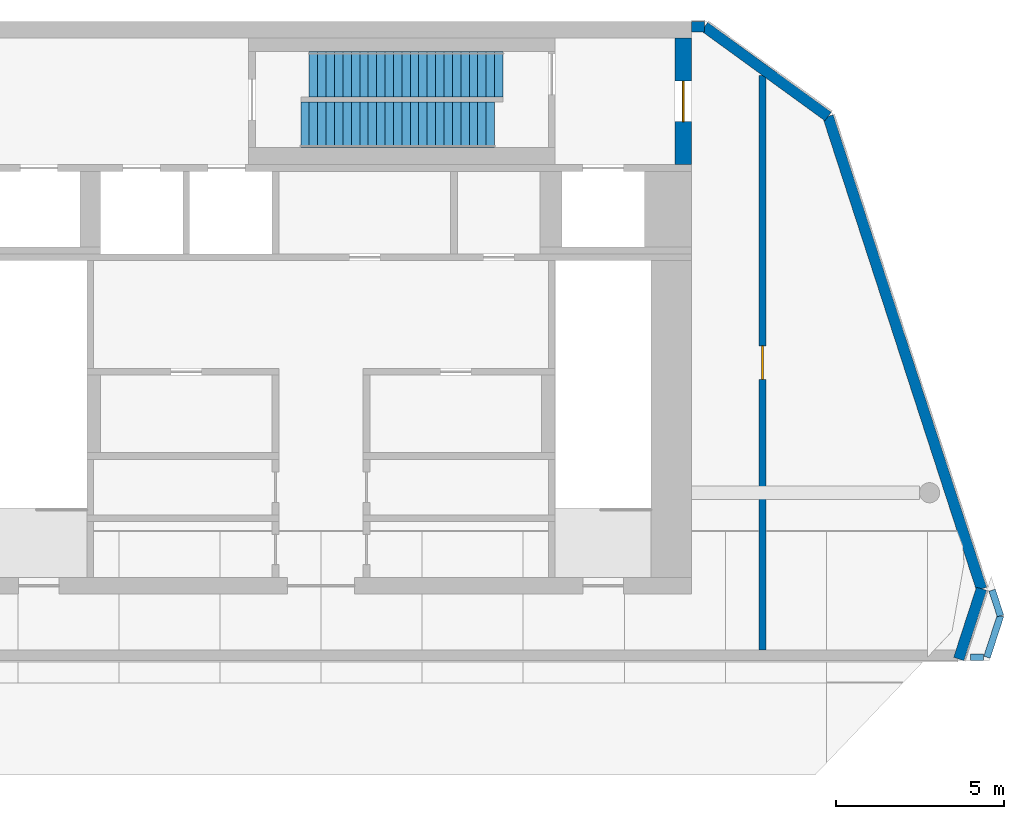
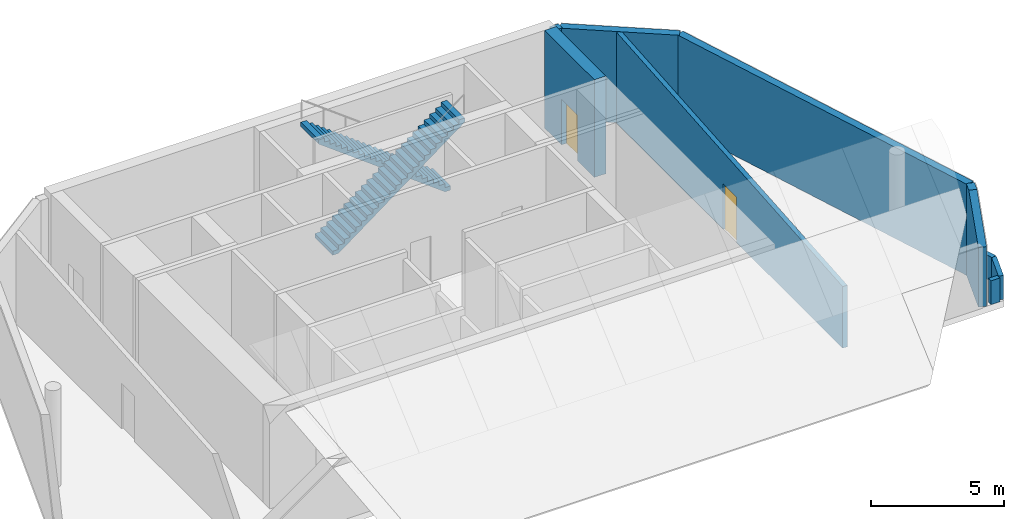
# One storey, part 3 of 5: 9 walls, 2 doors, 2 stair flights, 2 openings, 2 elements without a shape of their own.
"""IFC4 building model written with IfcOpenShell, lengths in metres."""

import ifcopenshell
import ifcopenshell.guid

model = None  # the IFC model being written
_history = None  # IfcOwnerHistory: only IFC2X3 demands one
_inside = {}  # id of a spatial element -> (the spatial element, [elements in it])
_under = {}  # id of a project, library or spatial element -> (it, [spatial elements below it])
_declared = {}  # id of a project -> (the project, [libraries it declares])
_typed = {}  # id of a type object -> (the type object, [elements of that type])
_made_of = {}  # id of a material, layer set ... -> (it, [elements and type objects made of it])


def new_model(schema):
    """Start an empty IFC model of exactly this schema.

    Asked for "IFC4X3", IfcOpenShell would pick the latest addendum, in which some entities
    have other attributes; the version numbers below select the first issue.
    IFC2X3 requires an IfcOwnerHistory on every rooted entity: one is made here for all.
    """
    global model, _history
    if schema == "IFC4X3":
        model = ifcopenshell.file(schema_version=(4, 3, 0, 0))
    else:
        model = ifcopenshell.file(schema=schema)
    _inside.clear()
    _under.clear()
    _declared.clear()
    _typed.clear()
    _made_of.clear()
    _history = None
    if model.schema == "IFC2X3":
        org = make("IfcOrganization", Name="unknown")
        user = make(
            "IfcPersonAndOrganization",
            ThePerson=make("IfcPerson", FamilyName="unknown"),
            TheOrganization=org,
        )
        app = make(
            "IfcApplication",
            ApplicationDeveloper=org,
            Version="unknown",
            ApplicationFullName="unknown",
            ApplicationIdentifier="unknown",
        )
        _history = make(
            "IfcOwnerHistory",
            OwningUser=user,
            OwningApplication=app,
            ChangeAction="ADDED",
            CreationDate=0,
        )
    return model


def make(cls, **values):
    """One entity of the class cls with the attributes given. An attribute that is None is left unset."""
    return model.create_entity(
        cls, **{name: value for name, value in values.items() if value is not None}
    )


def rooted(cls, **values):
    """An entity with a GlobalId (a new one), such as an element, a storey or a relation."""
    return make(cls, GlobalId=ifcopenshell.guid.new(), OwnerHistory=_history, **values)


def si_unit(unit_type, name, prefix=None):
    """IfcSIUnit, for example si_unit("LENGTHUNIT", "METRE", prefix="MILLI")."""
    return make("IfcSIUnit", UnitType=unit_type, Prefix=prefix, Name=name)


def assignment(units):
    """IfcUnitAssignment: the units of a project."""
    return None if units is None else make("IfcUnitAssignment", Units=units)


def point(xyz):
    """IfcCartesianPoint."""
    return None if xyz is None else make("IfcCartesianPoint", Coordinates=xyz)


def direction(xyz):
    """IfcDirection."""
    return None if xyz is None else make("IfcDirection", DirectionRatios=xyz)


def frame(location, z_axis=None, x_axis=None):
    """IfcAxis2Placement3D, a coordinate frame: its origin and axes. An axis left out is left unset."""
    return make(
        "IfcAxis2Placement3D",
        Location=point(location),
        Axis=direction(z_axis),
        RefDirection=direction(x_axis),
    )


def frame_2d(location, x_axis=None):
    """IfcAxis2Placement2D, a coordinate frame in the plane: its origin and x axis."""
    return make(
        "IfcAxis2Placement2D", Location=point(location), RefDirection=direction(x_axis)
    )


def origin():
    """The frame at (0, 0, 0) with its axes left unset."""
    return frame((0.0, 0.0, 0.0))


def place(relative_to, where):
    """IfcLocalPlacement: puts the frame where relative to a parent placement (None: the world)."""
    return make(
        "IfcLocalPlacement", PlacementRelTo=relative_to, RelativePlacement=where
    )


def context(
    kind, dimensions, precision=None, world=None, true_north=None, identifier=None
):
    """IfcGeometricRepresentationContext, for example the 3D "Model" context."""
    return make(
        "IfcGeometricRepresentationContext",
        ContextIdentifier=identifier,
        ContextType=kind,
        CoordinateSpaceDimension=dimensions,
        Precision=precision,
        WorldCoordinateSystem=world,
        TrueNorth=true_north,
    )


def subcontext(parent, identifier, kind, view, scale=None):
    """IfcGeometricRepresentationSubContext, for example "Body" below "Model"."""
    return make(
        "IfcGeometricRepresentationSubContext",
        ContextIdentifier=identifier,
        ContextType=kind,
        ParentContext=parent,
        TargetScale=scale,
        TargetView=view,
    )


def project(units=None, contexts=None):
    """IfcProject with its units and contexts."""
    return rooted(
        "IfcProject",
        Name="project",
        RepresentationContexts=contexts,
        UnitsInContext=assignment(units),
    )


def spatial(cls, under=None, at=None, **own):
    """A site, building, storey or space (cls), placed at a placement, below another one or the project."""
    s = rooted(cls, ObjectPlacement=at, **own)
    if under is not None:
        _under.setdefault(under.id(), (under, []))[1].append(s)
    return s


def polyline(points):
    """IfcPolyline through the points."""
    return make("IfcPolyline", Points=[point(p) for p in points])


def profile(cls, at=None, kind="AREA", **sizes):
    """A parametric profile (cls). Its sizes go by their IFC names, for example OverallWidth=200.0."""
    return make(cls, ProfileType=kind, Position=at, **sizes)


def rectangle(**sizes):
    """IfcRectangleProfileDef."""
    return profile("IfcRectangleProfileDef", **sizes)


def outline(outer, holes=None, kind="AREA"):
    """IfcArbitraryClosedProfileDef: a profile drawn as a closed curve; with holes, ...WithVoids."""
    if holes is None:
        return make("IfcArbitraryClosedProfileDef", ProfileType=kind, OuterCurve=outer)
    return make(
        "IfcArbitraryProfileDefWithVoids",
        ProfileType=kind,
        OuterCurve=outer,
        InnerCurves=holes,
    )


def extrude(swept, where, along, depth):
    """IfcExtrudedAreaSolid: the profile swept, set in the frame where, extruded along a direction by depth."""
    return make(
        "IfcExtrudedAreaSolid",
        SweptArea=swept,
        Position=where,
        ExtrudedDirection=direction(along),
        Depth=depth,
    )


def shape(context_of_items, identifier, shape_type, items):
    """IfcShapeRepresentation: the items that make up one representation, for example the "Body"."""
    return make(
        "IfcShapeRepresentation",
        ContextOfItems=context_of_items,
        RepresentationIdentifier=identifier,
        RepresentationType=shape_type,
        Items=items,
    )


def material(Name=None, Category=None):
    """IfcMaterial."""
    return make("IfcMaterial", Name=Name, Category=Category)


def layer(
    of_material, thickness, ventilated=None, Name=None, Category=None, Priority=None
):
    """IfcMaterialLayer: one layer of a wall or slab, of a material (None: an air gap)."""
    return make(
        "IfcMaterialLayer",
        Material=of_material,
        LayerThickness=thickness,
        IsVentilated=ventilated,
        Name=Name,
        Category=Category,
        Priority=Priority,
    )


def layer_set(layers, Name=None):
    """IfcMaterialLayerSet."""
    return make("IfcMaterialLayerSet", MaterialLayers=layers, LayerSetName=Name)


def made_of(thing, what):
    """Note that an element or type object is made of a material, layer set ...; save() writes the relation."""
    if what is not None:
        _made_of.setdefault(what.id(), (what, []))[1].append(thing)
    return thing


def type_object(cls, material=None, **own):
    """A type object (cls), such as IfcWallType, which elements share."""
    return made_of(rooted(cls, **own), material)


def element(
    cls,
    number,
    at=None,
    inside=None,
    cuts=None,
    type_object=None,
    material=None,
    context=None,
    identifier="Body",
    shape_type=None,
    held_by="IfcProductDefinitionShape",
    body=None,
    shapes=None,
    **own,
):
    """One element of the class cls, such as IfcWall. Its Tag is "e" and its number.

    at: its placement. inside: the storey or other place that contains it. cuts: it is an
    opening in that element (IfcRelVoidsElement). A single representation is given by context,
    identifier, shape_type and body (its items); several are given by shapes. held_by: the class
    of the entity that holds the representations. save() writes the other relations.
    """
    e = rooted(cls, Tag="e%d" % number, ObjectPlacement=at, **own)
    if body is not None:
        shapes = [shape(context, identifier, shape_type, body)]
    if shapes is not None:
        e.Representation = make(held_by, Representations=shapes)
    if inside is not None:
        _inside.setdefault(inside.id(), (inside, []))[1].append(e)
    if cuts is not None:
        rooted(
            "IfcRelVoidsElement", RelatingBuildingElement=cuts, RelatedOpeningElement=e
        )
    if type_object is not None:
        _typed.setdefault(type_object.id(), (type_object, []))[1].append(e)
    return made_of(e, material)


def fill(opening, filler):
    """IfcRelFillsElement: the door or window that sits in an opening."""
    return rooted(
        "IfcRelFillsElement",
        RelatingOpeningElement=opening,
        RelatedBuildingElement=filler,
    )


def aggregate(whole, parts):
    """IfcRelAggregates: a whole, such as a stair, and the parts it consists of."""
    return rooted("IfcRelAggregates", RelatingObject=whole, RelatedObjects=parts)


def save(model, path):
    """Write the relations noted so far, then the file.

    IfcRelAggregates (storeys below a building ...), IfcRelContainedInSpatialStructure (elements
    in a storey), IfcRelDefinesByType, IfcRelAssociatesMaterial and IfcRelDeclares: one each for
    every whole, place, type object, material and project.
    """
    for whole, parts in _under.values():
        aggregate(whole, parts)
    for where, things in _inside.values():
        rooted(
            "IfcRelContainedInSpatialStructure",
            RelatedElements=things,
            RelatingStructure=where,
        )
    for kind, things in _typed.values():
        rooted("IfcRelDefinesByType", RelatedObjects=things, RelatingType=kind)
    for what, things in _made_of.values():
        rooted("IfcRelAssociatesMaterial", RelatedObjects=things, RelatingMaterial=what)
    for by, libraries in _declared.values():
        rooted("IfcRelDeclares", RelatingContext=by, RelatedDefinitions=libraries)
    model.write(path)


model = new_model("IFC4")

# Units and contexts
model_context = context("Model", 3, precision=1e-05, world=origin(), true_north=direction((0.0, 1.0)))
body_context = subcontext(model_context, "Body", "Model", "MODEL_VIEW")
ifc_project = project(units=[si_unit("LENGTHUNIT", "METRE"), si_unit("AREAUNIT", "SQUARE_METRE"), si_unit("VOLUMEUNIT", "CUBIC_METRE"), si_unit("PLANEANGLEUNIT", "RADIAN"), si_unit("MASSUNIT", "GRAM", prefix="KILO")], contexts=[model_context])

# Site, building, storey
site_placement = place(None, origin())
site = spatial("IfcSite", under=ifc_project, at=site_placement, CompositionType="ELEMENT")
building_placement = place(site_placement, origin())
building = spatial("IfcBuilding", under=site, at=building_placement, Name="White Candle Pilgrim Tower", CompositionType="ELEMENT")
storey_placement = place(building_placement, frame((0.0, 0.0, 342.199951171875)))
storey = spatial("IfcBuildingStorey", under=building, at=storey_placement, Name="L80", CompositionType="ELEMENT", Elevation=342.199951171875)

# Wall, opening, door
ifc_material_1 = material(Name="Concrete C40/50", Category="concrete")
ifc_layer_1 = layer(ifc_material_1, 0.5)
ifc_layer_set_1 = layer_set([ifc_layer_1], Name="Core wall 500 mm Concrete C40/50")
wall_type_1 = type_object("IfcWallType", Name="Core wall 500 mm Concrete C40/50", PredefinedType="SHEAR", material=ifc_layer_set_1)
wall_1_placement = place(storey_placement, frame((80.75, 83.75, 0.0), z_axis=(0.0, 0.0, 1.0), x_axis=(0.0, 1.0, 0.0)))
wall_1 = element("IfcWall", 1, at=wall_1_placement, inside=storey, type_object=wall_type_1, Name="WL-L80-C37", PredefinedType="SHEAR", context=body_context, shape_type="SweptSolid", body=[
    extrude(rectangle(XDim=3.75, YDim=0.5, at=frame_2d((1.875, 0.0))), origin(), (0.0, 0.0, 1.0), 4.5),
])
opening_1_placement = place(wall_1_placement, frame((1.27490234375, 0.0, 0.0)))
opening_1 = element("IfcOpeningElement", 2, at=opening_1_placement, cuts=wall_1, Name="Opening L80-011", PredefinedType="OPENING", context=body_context, shape_type="SweptSolid", body=[
    extrude(rectangle(XDim=1.199951171875, YDim=2.10009765625, at=frame_2d((0.60009765625, 1.050048828125))), frame((0.0, 0.260009765625, 0.0), z_axis=(0.0, -1.0, 0.0), x_axis=(1.0, 0.0, 0.0)), (0.0, 0.0, 1.0), 0.52001953125),
])
ifc_material_2 = material(Name="Steel door leaf", Category="steel")
door_type_1 = type_object("IfcDoorType", Name="Fire door 1200 x 2100 EI 30", OperationType="NOTDEFINED", PredefinedType="DOOR", material=ifc_material_2)
door_1_placement = place(opening_1_placement, origin())
door_1 = element("IfcDoor", 3, at=door_1_placement, inside=storey, type_object=door_type_1, Name="Door L80-011", OperationType="SINGLE_SWING_LEFT", OverallHeight=2.10009765625, OverallWidth=1.199951171875, PredefinedType="DOOR", context=body_context, shape_type="SweptSolid", body=[
    extrude(rectangle(XDim=1.199951171875, YDim=2.10009765625, at=frame_2d((0.60009765625, 1.050048828125))), frame((0.0, 0.02490234375, 0.0), z_axis=(0.0, -1.0, 0.0), x_axis=(1.0, 0.0, 0.0)), (0.0, 0.0, 1.0), 0.050048828125),
])
fill(opening_1, door_1)

ifc_material_3 = material(Name="Gypsum board on steel studs", Category="steel")
ifc_layer_2 = layer(ifc_material_3, 0.199951171875)
ifc_layer_set_2 = layer_set([ifc_layer_2], Name="Corridor wall 200 mm EI 45")
wall_type_2 = type_object("IfcWallType", Name="Corridor wall 200 mm EI 45", PredefinedType="PARTITIONING", material=ifc_layer_set_2)
wall_2_placement = place(storey_placement, frame((83.10009765625, 86.396240234375, 0.0), z_axis=(0.0, 0.0, 1.0), x_axis=(0.0, -1.0, 0.0)))
wall_2 = element("IfcWall", 4, at=wall_2_placement, inside=storey, type_object=wall_type_2, Name="WL-L80-P001", PredefinedType="PARTITIONING", context=body_context, shape_type="SweptSolid", body=[
    extrude(outline(polyline([(0.0, 0.0), (17.050048828125, 0.0), (17.0498046875, 2.833251953125), (0.0, 4.199951171875), (0.0, 0.0)])), frame((0.0, 0.10009765625, 0.0), z_axis=(0.0, -1.0, 0.0), x_axis=(1.0, 0.0, 0.0)), (0.0, 0.0, 1.0), 0.199951171875),
])
opening_2_placement = place(wall_2_placement, frame((8.02490234375, 0.0, 0.0)))
opening_2 = element("IfcOpeningElement", 5, at=opening_2_placement, cuts=wall_2, Name="Opening L80-102", PredefinedType="OPENING", context=body_context, shape_type="SweptSolid", body=[
    extrude(rectangle(XDim=1.0, YDim=2.10009765625, at=frame_2d((0.5, 1.050048828125))), frame((0.0, 0.10986328125, 0.0), z_axis=(0.0, -1.0, 0.0), x_axis=(1.0, 0.0, 0.0)), (0.0, 0.0, 1.0), 0.219970703125),
])
door_type_2 = type_object("IfcDoorType", Name="Fire door 1000 x 2100 EI 30", OperationType="NOTDEFINED", PredefinedType="DOOR", material=ifc_material_2)
door_2_placement = place(opening_2_placement, origin())
door_2 = element("IfcDoor", 6, at=door_2_placement, inside=storey, type_object=door_type_2, Name="Door L80-102", OperationType="SINGLE_SWING_RIGHT", OverallHeight=2.10009765625, OverallWidth=1.0, PredefinedType="DOOR", context=body_context, shape_type="SweptSolid", body=[
    extrude(rectangle(XDim=1.0, YDim=2.10009765625, at=frame_2d((0.5, 1.050048828125))), frame((0.0, 0.02490234375, 0.0), z_axis=(0.0, -1.0, 0.0), x_axis=(1.0, 0.0, 0.0)), (0.0, 0.0, 1.0), 0.050048828125),
])
fill(opening_2, door_2)

# Walls
ifc_material_4 = material(Name="Precast concrete C40/50", Category="concrete")
ifc_layer_3 = layer(ifc_material_4, 0.320068359375)
ifc_layer_set_3 = layer_set([ifc_layer_3], Name="Facade wall EW4 precast concrete C40/50 crown wall with zinc cladding")
wall_type_3 = type_object("IfcWallType", Name="Facade wall EW4 precast concrete C40/50 crown wall with zinc cladding", PredefinedType="SOLIDWALL", material=ifc_layer_set_3)
wall_3_placement = place(storey_placement, frame((88.9287109375, 69.07568359375, 0.0), z_axis=(0.0, 0.0, 1.0), x_axis=(0.308990223282, 0.951065214334, 0.0)))
element("IfcWall", 7, at=wall_3_placement, inside=storey, type_object=wall_type_3, Name="Crown wall L80 E chamfer", PredefinedType="SOLIDWALL", context=body_context, shape_type="SweptSolid", body=[
    extrude(outline(polyline([(0.0, 0.0), (2.188720703125, 0.0), (2.188720703125, 4.199951171875), (1.729248046875, 4.199951171875), (0.0, 2.743896484375), (0.0, 0.0)])), frame((0.0, 0.16015625, 0.0), z_axis=(0.0, -1.0, 0.0), x_axis=(1.0, 0.0, 0.0)), (0.0, 0.0, 1.0), 0.320068359375),
])
wall_4_placement = place(storey_placement, frame((89.60498046875, 71.1572265625, 0.0), z_axis=(0.0, 0.0, 1.0), x_axis=(-0.309009679663, 0.951058892958, 0.0)))
element("IfcWall", 8, at=wall_4_placement, inside=storey, type_object=wall_type_3, Name="Crown wall L80 ENE", PredefinedType="SOLIDWALL", context=body_context, shape_type="SweptSolid", body=[
    extrude(rectangle(XDim=14.741943359375, YDim=0.320068359375, at=frame_2d((7.37109375, 0.0))), origin(), (0.0, 0.0, 1.0), 4.199951171875),
])
wall_5_placement = place(storey_placement, frame((85.049560546875, 85.177734375, 0.0), z_axis=(0.0, 0.0, 1.0), x_axis=(-0.809027332235, 0.587771023186, 0.0)))
element("IfcWall", 9, at=wall_5_placement, inside=storey, type_object=wall_type_3, Name="Crown wall L80 NE chamfer", PredefinedType="SOLIDWALL", context=body_context, shape_type="SweptSolid", body=[
    extrude(rectangle(XDim=4.529541015625, YDim=0.320068359375, at=frame_2d((2.2646484375, 0.0))), origin(), (0.0, 0.0, 1.0), 4.199951171875),
])
wall_6_placement = place(storey_placement, frame((81.385009765625, 87.840087890625, 0.0), z_axis=(0.0, 0.0, 1.0), x_axis=(-1.0, 0.0, 0.0)))
element("IfcWall", 10, at=wall_6_placement, inside=storey, type_object=wall_type_3, Name="Crown wall L80 N", PredefinedType="SOLIDWALL", context=body_context, shape_type="SweptSolid", body=[
    extrude(rectangle(XDim=0.385009765625, YDim=0.320068359375, at=frame_2d((0.1923828125, 0.0))), origin(), (0.0, 0.0, 1.0), 4.199951171875),
])
ifc_layer_4 = layer(ifc_material_4, 0.199951171875)
ifc_layer_set_4 = layer_set([ifc_layer_4], Name="Roof parapet EW5 precast concrete C40/50 200")
wall_type_4 = type_object("IfcWallType", Name="Roof parapet EW5 precast concrete C40/50 200", PredefinedType="SOLIDWALL", material=ifc_layer_set_4)
wall_7_placement = place(storey_placement, frame((90.164794921875, 70.356201171875, 0.0), z_axis=(0.0, 0.0, 1.0), x_axis=(-0.309026312225, -0.951053488692, 0.0)))
element("IfcWall", 11, at=wall_7_placement, inside=storey, type_object=wall_type_4, Name="Roof parapet L80", PredefinedType="SOLIDWALL", context=body_context, shape_type="SweptSolid", body=[
    extrude(rectangle(XDim=1.293212890625, YDim=0.199951171875, at=frame_2d((0.646484375, 0.0))), origin(), (0.0, 0.0, 1.0), 1.10009765625),
])
wall_8_placement = place(storey_placement, frame((89.66015625, 69.126220703125, 0.0), z_axis=(0.0, 0.0, 1.0), x_axis=(-1.0, 0.0, 0.0)))
element("IfcWall", 12, at=wall_8_placement, inside=storey, type_object=wall_type_4, Name="Roof parapet L80", PredefinedType="SOLIDWALL", context=body_context, shape_type="SweptSolid", body=[
    extrude(rectangle(XDim=0.38916015625, YDim=0.199951171875, at=frame_2d((0.194580078125, 0.0))), origin(), (0.0, 0.0, 1.0), 1.10009765625),
])
wall_9_placement = place(storey_placement, frame((89.91748046875, 71.117431640625, 0.0), z_axis=(0.0, 0.0, 1.0), x_axis=(0.30898951136, -0.951065445629, 0.0)))
element("IfcWall", 13, at=wall_9_placement, inside=storey, type_object=wall_type_4, Name="Roof parapet L80", PredefinedType="SOLIDWALL", context=body_context, shape_type="SweptSolid", body=[
    extrude(rectangle(XDim=0.80029296875, YDim=0.199951171875, at=frame_2d((0.400146484375, 0.0))), origin(), (0.0, 0.0, 1.0), 1.10009765625),
])

# Stair, stair flight
stair_type = type_object("IfcStairType", Name="Exit stair 12 flight width 1350 mm", PredefinedType="STRAIGHT_RUN_STAIR", material=ifc_material_1)
stair_1_placement = place(storey_placement, origin())
stair_1 = element("IfcStair", 14, at=stair_1_placement, inside=storey, type_object=stair_type, Name="L80 stair 12 B", PredefinedType="NOTDEFINED")
ifc_layer_5 = layer(ifc_material_1, 0.14990234375)
ifc_layer_set_5 = layer_set([ifc_layer_5], Name="Stair flight Concrete C40/50")
stair_flight_type = type_object("IfcStairFlightType", Name="Stair flight Concrete C40/50", PredefinedType="STRAIGHT", material=ifc_layer_set_5)
stair_flight_1_placement = place(storey_placement, frame((69.39990234375, 84.925048828125, 0.0), z_axis=(0.0, 0.0, 1.0), x_axis=(1.0, 0.0, 0.0)))
stair_flight_1 = element("IfcStairFlight", 15, at=stair_flight_1_placement, type_object=stair_flight_type, Name="ST12B flight 1", NumberOfRisers=24, NumberOfTreads=23, PredefinedType="NOTDEFINED", RiserHeight=0.1875, TreadLength=0.25, context=body_context, shape_type="SweptSolid", body=[
    extrude(outline(polyline([(0.0, 0.0), (0.0, 0.1875), (0.25, 0.1875), (0.25, 0.375), (0.5, 0.375), (0.5, 0.5625), (0.75, 0.5625), (0.75, 0.75), (1.0, 0.75), (1.0, 0.9375), (1.25, 0.9375), (1.25, 1.125), (1.5, 1.125), (1.5, 1.3125), (1.75, 1.3125), (1.75, 1.5), (2.0, 1.5), (2.0, 1.6875), (2.25, 1.6875), (2.25, 1.875), (2.5, 1.875), (2.5, 2.0625), (2.75, 2.0625), (2.75, 2.25), (3.0, 2.25), (3.0, 2.4375), (3.25, 2.4375), (3.25, 2.625), (3.5, 2.625), (3.5, 2.8125), (3.75, 2.8125), (3.75, 3.0), (4.0, 3.0), (4.0, 3.1875), (4.25, 3.1875), (4.25, 3.375), (4.5, 3.375), (4.5, 3.5625), (4.75, 3.5625), (4.75, 3.75), (5.0, 3.75), (5.0, 3.9375), (5.25, 3.9375), (5.25, 4.125), (5.5, 4.125), (5.5, 4.3125), (5.75, 4.3125), (5.75, 4.5), (5.75, 4.125), (0.249755859375, 0.0), (0.0, 0.0)])), frame((0.0, 0.675048828125, 0.0), z_axis=(0.0, -1.0, 0.0), x_axis=(1.0, 0.0, 0.0)), (0.0, 0.0, 1.0), 1.35009765625),
])
aggregate(stair_1, [stair_flight_1])

stair_2_placement = place(storey_placement, origin())
stair_2 = element("IfcStair", 16, at=stair_2_placement, inside=storey, type_object=stair_type, Name="L80 stair 12 A", PredefinedType="NOTDEFINED")
stair_flight_2_placement = place(storey_placement, frame((75.39990234375, 86.425048828125, 0.0), z_axis=(0.0, 0.0, 1.0), x_axis=(-1.0, 0.0, 0.0)))
stair_flight_2 = element("IfcStairFlight", 17, at=stair_flight_2_placement, type_object=stair_flight_type, Name="ST12A flight 1", NumberOfRisers=24, NumberOfTreads=23, PredefinedType="NOTDEFINED", RiserHeight=0.1875, TreadLength=0.25, context=body_context, shape_type="SweptSolid", body=[
    extrude(outline(polyline([(0.0, 0.0), (0.0, 0.1875), (0.25, 0.1875), (0.25, 0.375), (0.5, 0.375), (0.5, 0.5625), (0.75, 0.5625), (0.75, 0.75), (1.0, 0.75), (1.0, 0.9375), (1.25, 0.9375), (1.25, 1.125), (1.5, 1.125), (1.5, 1.3125), (1.75, 1.3125), (1.75, 1.5), (2.0, 1.5), (2.0, 1.6875), (2.25, 1.6875), (2.25, 1.875), (2.5, 1.875), (2.5, 2.0625), (2.75, 2.0625), (2.75, 2.25), (3.0, 2.25), (3.0, 2.4375), (3.25, 2.4375), (3.25, 2.625), (3.5, 2.625), (3.5, 2.8125), (3.75, 2.8125), (3.75, 3.0), (4.0, 3.0), (4.0, 3.1875), (4.25, 3.1875), (4.25, 3.375), (4.5, 3.375), (4.5, 3.5625), (4.75, 3.5625), (4.75, 3.75), (5.0, 3.75), (5.0, 3.9375), (5.25, 3.9375), (5.25, 4.125), (5.5, 4.125), (5.5, 4.3125), (5.75, 4.3125), (5.75, 4.5), (5.75, 4.125), (0.249755859375, 0.0), (0.0, 0.0)])), frame((0.0, 0.675048828125, 0.0), z_axis=(0.0, -1.0, 0.0), x_axis=(1.0, 0.0, 0.0)), (0.0, 0.0, 1.0), 1.35009765625),
])
aggregate(stair_2, [stair_flight_2])

save(model, "model.ifc")
